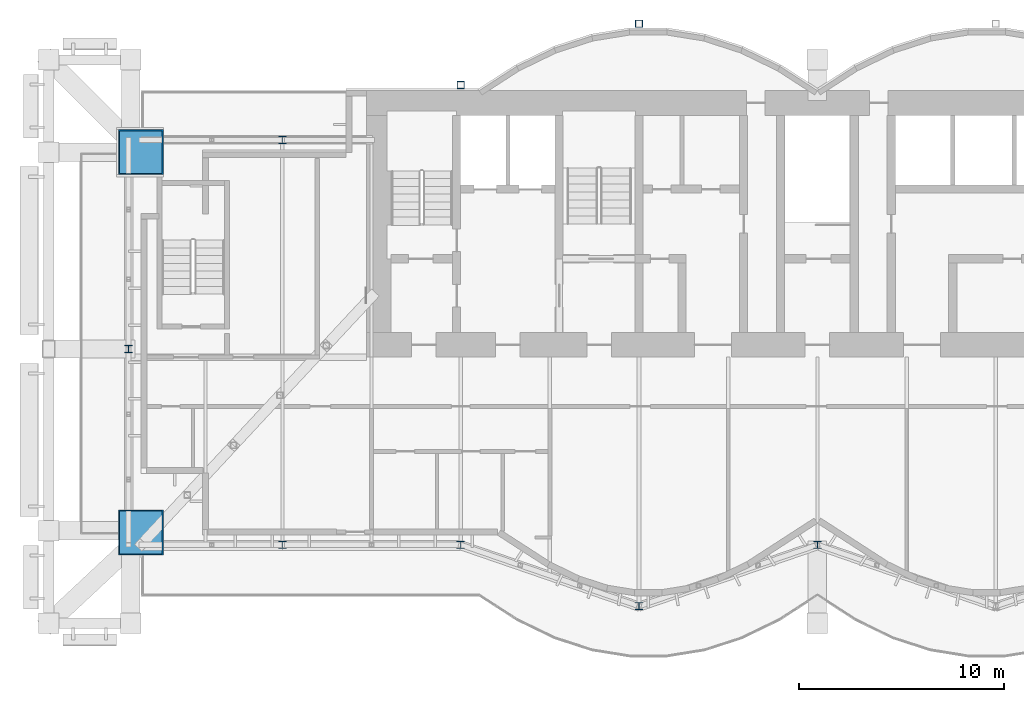
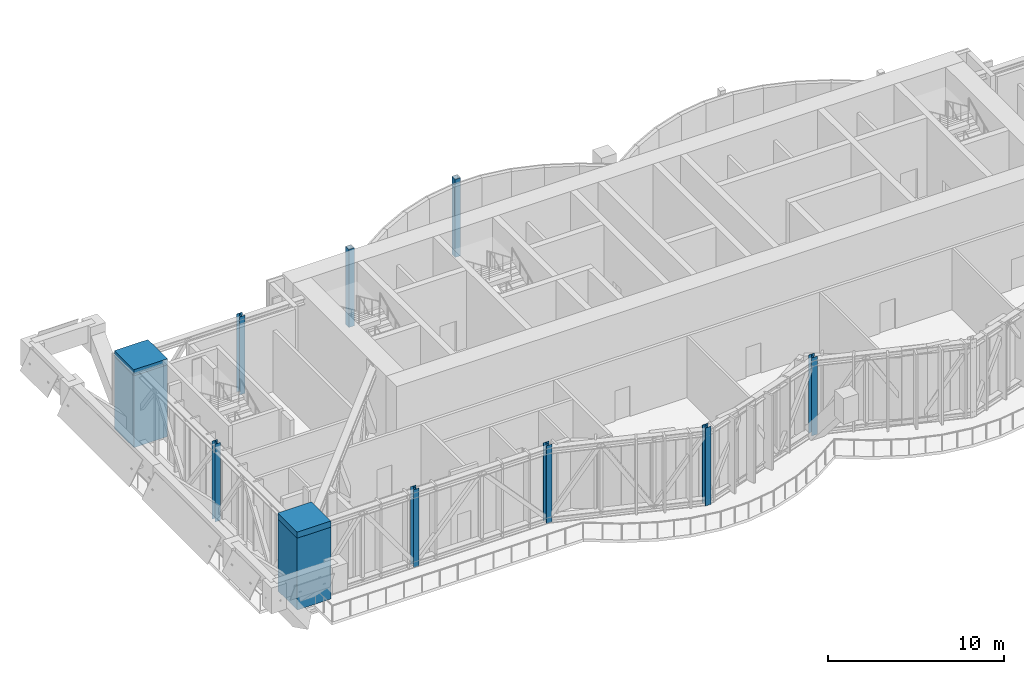
# One storey, part 1 of 20: 12 columns.
"""IFC4 building model written with IfcOpenShell, lengths in metres."""

from ifc_helpers import new_model, si_unit, direction, frame, origin, origin_2d, place, context, subcontext, project, spatial, rectangle, hollow_rectangle, i_section, extrude, material, material_profile, profile_set, type_object, element, save


model = new_model("IFC4")

# Units and contexts
model_context = context("Model", 3, precision=1e-05, world=origin(), true_north=direction((0.0, 1.0)))
body_context = subcontext(model_context, "Body", "Model", "MODEL_VIEW")
ifc_project = project(units=[si_unit("LENGTHUNIT", "METRE"), si_unit("AREAUNIT", "SQUARE_METRE"), si_unit("VOLUMEUNIT", "CUBIC_METRE"), si_unit("PLANEANGLEUNIT", "RADIAN"), si_unit("MASSUNIT", "GRAM", prefix="KILO")], contexts=[model_context])

# Site, building, storey
site_placement = place(None, origin())
site = spatial("IfcSite", under=ifc_project, at=site_placement, CompositionType="ELEMENT")
building_placement = place(site_placement, origin())
building = spatial("IfcBuilding", under=site, at=building_placement, Name="Bicima Exchange Tower", CompositionType="ELEMENT")
storey_placement = place(building_placement, frame((0.0, 0.0, 342.5)))
storey = spatial("IfcBuildingStorey", under=building, at=storey_placement, Name="L77", CompositionType="ELEMENT", Elevation=342.5)

# Columns
ifc_material_1 = material(Name="Steel ASTM A572 Gr 50", Category="steel")
ifc_material_profile_1 = material_profile(ifc_material_1, hollow_rectangle(XDim=2.199951171875, YDim=2.199951171875, WallThickness=0.06005859375, at=origin_2d()))
ifc_profile_set_1 = profile_set([ifc_material_profile_1], Name="Steel ASTM A572 Gr 50")
column_type_1 = type_object("IfcColumnType", Name="Mega column BOX 2200x2200x60", PredefinedType="COLUMN", material=ifc_profile_set_1)
for number, where, z_axis, x_axis, name in (
    (1, (-33.0, -21.553955078125, 0.0), (0.0, 0.0, 1.0), (1.0, 0.0, 0.0), "Mega column mega-33.0f"),
    (2, (-33.0, -3.0, 0.0), (0.0, 0.0, 1.0), (1.0, 0.0, 0.0), "Mega column mega-33.0r"),
):
    element("IfcColumn", number, at=place(storey_placement, frame(where, z_axis=z_axis, x_axis=x_axis)), inside=storey, type_object=column_type_1, Name=name, PredefinedType="COLUMN", context=body_context, shape_type="SweptSolid", body=[
        extrude(hollow_rectangle(XDim=2.199951171875, YDim=2.199951171875, WallThickness=0.06005859375, at=origin_2d()), origin(), (0.0, 0.0, 1.0), 4.97998046875),
    ])
ifc_material_profile_2 = material_profile(ifc_material_1, rectangle(XDim=2.199951171875, YDim=2.199951171875, at=origin_2d()))
ifc_profile_set_2 = profile_set([ifc_material_profile_2], Name="Steel ASTM A572 Gr 50")
column_type_2 = type_object("IfcColumnType", Name="Mega column transition block 2200 x 420", PredefinedType="COLUMN", material=ifc_profile_set_2)
for number, where, z_axis, x_axis, name in (
    (3, (-33.0, -21.553955078125, 4.97998046875), (0.0, 0.0, 1.0), (1.0, 0.0, 0.0), "Mega column transition block mega-33.0f"),
    (4, (-33.0, -3.0, 4.97998046875), (0.0, 0.0, 1.0), (1.0, 0.0, 0.0), "Mega column transition block mega-33.0r"),
):
    element("IfcColumn", number, at=place(storey_placement, frame(where, z_axis=z_axis, x_axis=x_axis)), inside=storey, type_object=column_type_2, Name=name, PredefinedType="COLUMN", context=body_context, shape_type="SweptSolid", body=[
        extrude(rectangle(XDim=2.199951171875, YDim=2.199951171875, at=origin_2d()), origin(), (0.0, 0.0, 1.0), 0.419921875),
    ])
ifc_material_2 = material(Name="Steel ASTM A992 Gr 50", Category="steel")
ifc_material_profile_3 = material_profile(ifc_material_2, i_section(OverallWidth=0.368408203125, OverallDepth=0.355712890625, WebThickness=0.01123046875, FlangeThickness=0.01806640625, at=origin_2d()))
ifc_profile_set_3 = profile_set([ifc_material_profile_3], Name="Steel ASTM A992 Gr 50")
column_type_3 = type_object("IfcColumnType", Name="Perimeter column W14x90", PredefinedType="COLUMN", material=ifc_profile_set_3)
for number, where, z_axis, x_axis, name in (
    (5, (-26.10009765625, -22.154052734375, 0.0), (0.0, 0.0, 1.0), (1.0, 0.0, 0.0), "Perimeter column grav-26.1f"),
    (6, (-26.10009765625, -2.39990234375, 0.0), (0.0, 0.0, 1.0), (1.0, 0.0, 0.0), "Perimeter column grav-26.1r"),
    (7, (-17.39990234375, -22.154052734375, 0.0), (0.0, 0.0, 1.0), (1.0, 0.0, 0.0), "Perimeter column grav-17.4f"),
    (8, (-8.699951171875, -25.14501953125, 0.0), (0.0, 0.0, 1.0), (1.0, 0.0, 0.0), "Perimeter column grav-8.7f"),
    (9, (0.0, -22.154052734375, 0.0), (0.0, 0.0, 1.0), (1.0, 0.0, 0.0), "Perimeter column grav-0.0f"),
    (10, (-33.60009765625, -12.60009765625, 0.0), (0.0, 0.0, 1.0), (1.0, 0.0, 0.0), "End column end-33.6e"),
):
    element("IfcColumn", number, at=place(storey_placement, frame(where, z_axis=z_axis, x_axis=x_axis)), inside=storey, type_object=column_type_3, Name=name, PredefinedType="COLUMN", context=body_context, shape_type="SweptSolid", body=[
        extrude(i_section(OverallWidth=0.368408203125, OverallDepth=0.355712890625, WebThickness=0.01123046875, FlangeThickness=0.01806640625, at=origin_2d()), origin(), (0.0, 0.0, 1.0), 5.39990234375),
    ])
ifc_material_profile_4 = material_profile(ifc_material_1, hollow_rectangle(XDim=0.355712890625, YDim=0.355712890625, WallThickness=0.01171875, at=origin_2d()))
ifc_profile_set_4 = profile_set([ifc_material_profile_4], Name="Steel ASTM A572 Gr 50")
column_type_4 = type_object("IfcColumnType", Name="Rear pilaster HSS14x14x1/2", PredefinedType="COLUMN", material=ifc_profile_set_4)
for number, where, z_axis, x_axis, name in (
    (11, (-8.699951171875, 3.26904296875, 0.0), (0.0, 0.0, 1.0), (1.0, 0.0, 0.0), "Rear pilaster rexo-8.7r"),
    (12, (-17.39990234375, 0.278076171875, 0.0), (0.0, 0.0, 1.0), (1.0, 0.0, 0.0), "Rear pilaster rexo-17.4r"),
):
    element("IfcColumn", number, at=place(storey_placement, frame(where, z_axis=z_axis, x_axis=x_axis)), inside=storey, type_object=column_type_4, Name=name, PredefinedType="COLUMN", context=body_context, shape_type="SweptSolid", body=[
        extrude(hollow_rectangle(XDim=0.355712890625, YDim=0.355712890625, WallThickness=0.01171875, at=origin_2d()), origin(), (0.0, 0.0, 1.0), 5.39990234375),
    ])

save(model, "model.ifc")
